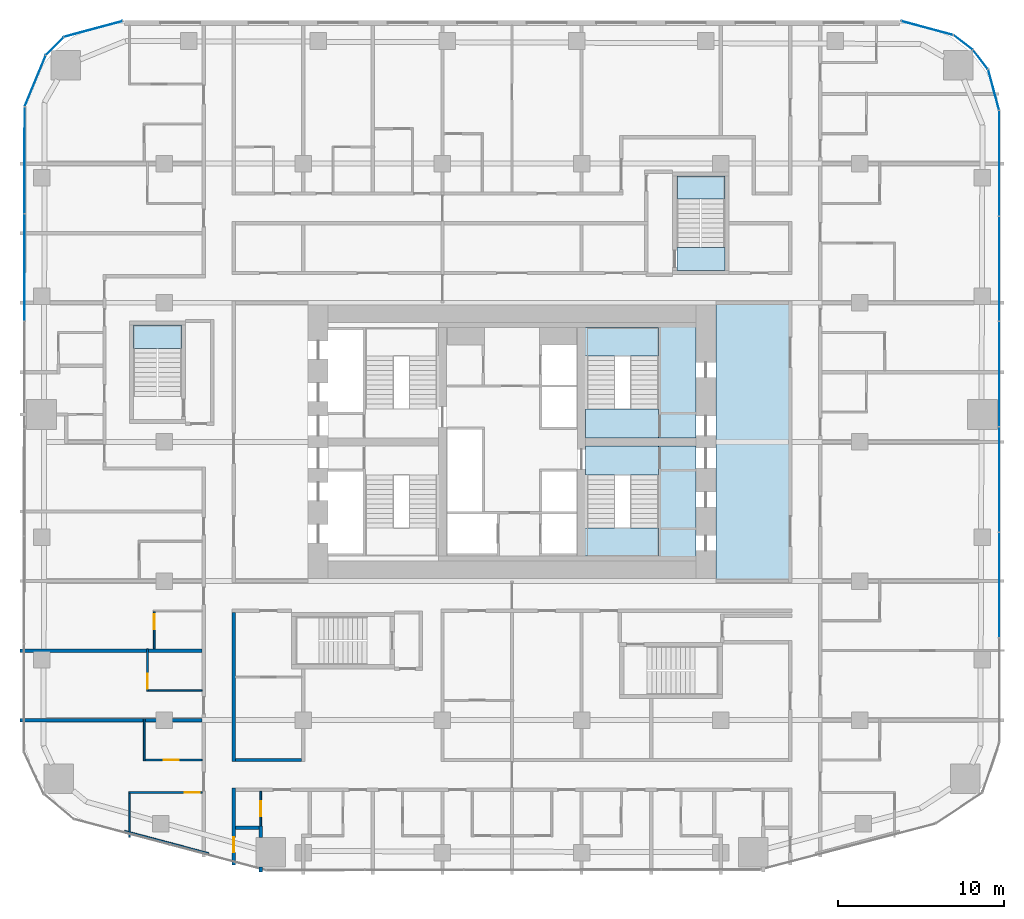
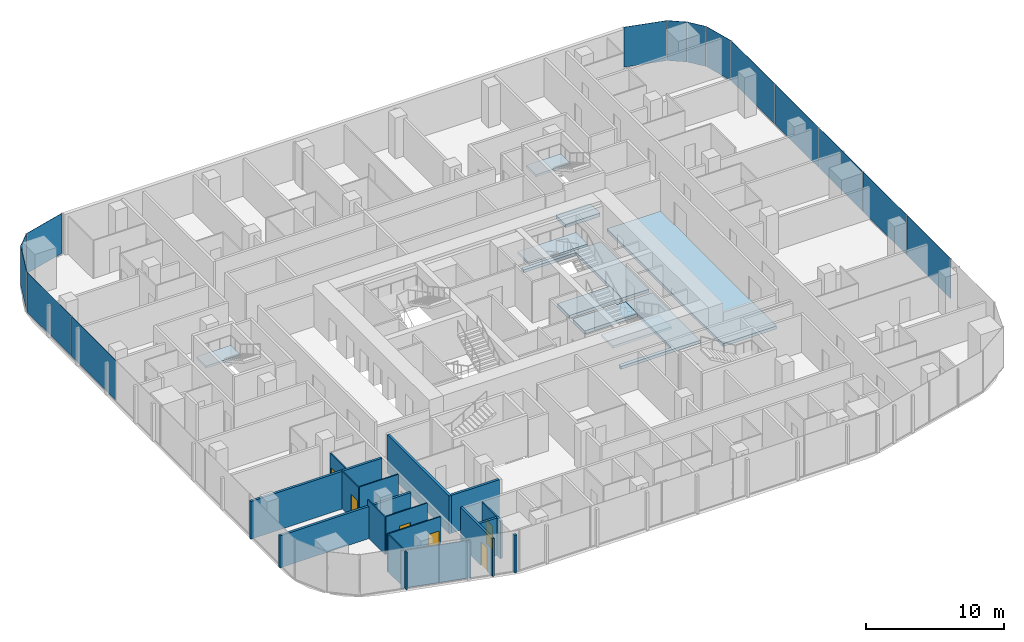
# One storey, part 15 of 26: 17 walls, 14 plates, 10 slabs, 6 doors, 6 openings, 13 elements without a shape of their own.
"""IFC4 building model written with IfcOpenShell, lengths in metres."""

from ifc_helpers import new_model, si_unit, direction, frame, frame_2d, origin, origin_2d, place, context, subcontext, project, spatial, polyline, rectangle, outline, extrude, material, layer, layer_set, type_object, element, fill, aggregate, save


model = new_model("IFC4")

# Units and contexts
model_context = context("Model", 3, precision=1e-05, world=origin(), true_north=direction((0.0, 1.0)))
body_context = subcontext(model_context, "Body", "Model", "MODEL_VIEW")
ifc_project = project(units=[si_unit("LENGTHUNIT", "METRE"), si_unit("AREAUNIT", "SQUARE_METRE"), si_unit("VOLUMEUNIT", "CUBIC_METRE"), si_unit("PLANEANGLEUNIT", "RADIAN"), si_unit("MASSUNIT", "GRAM", prefix="KILO")], contexts=[model_context])

# Site, building, storey
site_placement = place(None, origin())
site = spatial("IfcSite", under=ifc_project, at=site_placement, CompositionType="ELEMENT")
building_placement = place(site_placement, origin())
building = spatial("IfcBuilding", under=site, at=building_placement, Name="Marenta Gate Hotel Tower", CompositionType="ELEMENT")
storey_placement = place(building_placement, frame((0.0, 0.0, 43.699951171875)))
storey = spatial("IfcBuildingStorey", under=building, at=storey_placement, Name="L08", CompositionType="ELEMENT", Elevation=43.699951171875)

# Slabs
ifc_material_1 = material(Name="Concrete C40", Category="concrete")
ifc_layer_1 = layer(ifc_material_1, 0.260009765625)
ifc_layer_set_1 = layer_set([ifc_layer_1], Name="Concrete C40")
slab_type_1 = type_object("IfcSlabType", Name="Core floor slab 260", PredefinedType="FLOOR", material=ifc_layer_set_1)
slab_1_placement = place(storey_placement, frame((0.0, 0.0, -0.260009765625)))
element("IfcSlab", 1, at=slab_1_placement, inside=storey, type_object=slab_type_1, Name="L08-CF-1", PredefinedType="FLOOR", context=body_context, shape_type="SweptSolid", body=[
    extrude(outline(polyline([(12.300048828125, 0.0), (12.300048828125, 16.800048828125), (16.800048828125, 16.800048828125), (16.800048828125, 0.0), (12.300048828125, 0.0)])), origin(), (0.0, 0.0, 1.0), 0.260009765625),
])
slab_2_placement = place(storey_placement, frame((0.0, 0.0, -0.260009765625)))
element("IfcSlab", 2, at=slab_2_placement, inside=storey, type_object=slab_type_1, Name="L08-CF-2", PredefinedType="FLOOR", context=body_context, shape_type="SweptSolid", body=[
    extrude(outline(polyline([(8.85009765625, 1.5), (8.85009765625, 6.39990234375), (8.85009765625, 8.10009765625), (8.85009765625, 8.14990234375), (11.10009765625, 8.14990234375), (11.10009765625, 1.199951171875), (4.449951171875, 1.199951171875), (4.449951171875, 1.5), (8.85009765625, 1.5)])), origin(), (0.0, 0.0, 1.0), 0.260009765625),
])
slab_3_placement = place(storey_placement, frame((0.0, 0.0, -0.260009765625)))
element("IfcSlab", 3, at=slab_3_placement, inside=storey, type_object=slab_type_1, Name="L08-CF-3", PredefinedType="FLOOR", context=body_context, shape_type="SweptSolid", body=[
    extrude(outline(polyline([(8.85009765625, 15.300048828125), (4.449951171875, 15.300048828125), (4.449951171875, 15.60009765625), (11.10009765625, 15.60009765625), (11.10009765625, 8.64990234375), (8.85009765625, 8.64990234375), (8.85009765625, 8.699951171875), (8.85009765625, 10.39990234375), (8.85009765625, 15.300048828125)])), origin(), (0.0, 0.0, 1.0), 0.260009765625),
])

# Stair, slab
ifc_material_2 = material(Name="Concrete C40", Category="concrete")
stair_type_1 = type_object("IfcStairType", Name="Core exit stair 1700 wide", PredefinedType="HALF_TURN_STAIR", material=ifc_material_2)
stair_1_placement = place(storey_placement, origin())
stair_1 = element("IfcStair", 4, at=stair_1_placement, inside=storey, type_object=stair_type_1, Name="Exit stair 3", PredefinedType="HALF_TURN_STAIR")
ifc_material_3 = material(Name="Concrete C40", Category="concrete")
ifc_layer_2 = layer(ifc_material_3, 0.199951171875)
ifc_layer_set_2 = layer_set([ifc_layer_2], Name="Concrete C40")
slab_type_2 = type_object("IfcSlabType", Name="Core stair landing 200", PredefinedType="LANDING", material=ifc_layer_set_2)
slab_4_placement = place(storey_placement, frame((0.0, 0.0, 1.60009765625)))
slab_4 = element("IfcSlab", 5, at=slab_4_placement, type_object=slab_type_2, Name="SL-200 ST3 landing 1", PredefinedType="LANDING", context=body_context, shape_type="SweptSolid", body=[
    extrude(outline(polyline([(3.949951171875, 1.5), (8.85009765625, 1.5), (8.85009765625, 3.2099609375), (3.949951171875, 3.2099609375), (3.949951171875, 1.5)])), origin(), (0.0, 0.0, 1.0), 0.199951171875),
])
aggregate(stair_1, [slab_4])

stair_2_placement = place(storey_placement, origin())
stair_2 = element("IfcStair", 6, at=stair_2_placement, inside=storey, type_object=stair_type_1, Name="Exit stair 4", PredefinedType="HALF_TURN_STAIR")
slab_5_placement = place(storey_placement, frame((0.0, 0.0, 1.60009765625)))
slab_5 = element("IfcSlab", 7, at=slab_5_placement, type_object=slab_type_2, Name="SL-200 ST4 landing 1", PredefinedType="LANDING", context=body_context, shape_type="SweptSolid", body=[
    extrude(outline(polyline([(3.949951171875, 13.590087890625), (8.85009765625, 13.590087890625), (8.85009765625, 15.300048828125), (3.949951171875, 15.300048828125), (3.949951171875, 13.590087890625)])), origin(), (0.0, 0.0, 1.0), 0.199951171875),
])
aggregate(stair_2, [slab_5])

# Curtain wall, plate
ifc_material_4 = material(Name="Tinted insulated glass in bronze anodised frame", Category="glass")
ifc_layer_3 = layer(ifc_material_4, 0.1201171875)
ifc_layer_set_3 = layer_set([ifc_layer_3], Name="Tinted insulated glass in bronze anodised frame")
curtain_wall_type = type_object("IfcCurtainWallType", Name="Tower unitised curtain wall CW1", PredefinedType="NOTDEFINED", material=ifc_layer_set_3)
curtain_wall_1_placement = place(storey_placement, origin())
curtain_wall_1 = element("IfcCurtainWall", 8, at=curtain_wall_1_placement, inside=storey, type_object=curtain_wall_type, Name="CW1 run G00", PredefinedType="NOTDEFINED")
ifc_material_5 = material(Name="Tinted insulated glass", Category="glass")
ifc_layer_4 = layer(ifc_material_5, 0.028076171875)
ifc_layer_set_4 = layer_set([ifc_layer_4], Name="Tinted insulated glass")
plate_type = type_object("IfcPlateType", Name="Glass panel CW1 28 mm tinted insulated unit", PredefinedType="CURTAIN_PANEL", material=ifc_layer_set_4)
plate_1_placement = place(storey_placement, frame((-25.277099609375, 33.3232421875, 0.06005859375), z_axis=(0.0, 0.0, 1.0), x_axis=(-0.965930485164, -0.258801657317, 0.0)))
plate_1 = element("IfcPlate", 9, at=plate_1_placement, type_object=plate_type, Name="CW1 panel 1.1", PredefinedType="CURTAIN_PANEL", context=body_context, shape_type="SweptSolid", body=[
    extrude(rectangle(XDim=3.64990234375, YDim=0.028076171875, at=origin_2d()), origin(), (0.0, 0.0, 1.0), 3.5400390625),
])
aggregate(curtain_wall_1, [plate_1])

curtain_wall_2_placement = place(storey_placement, origin())
curtain_wall_2 = element("IfcCurtainWall", 10, at=curtain_wall_2_placement, inside=storey, type_object=curtain_wall_type, Name="CW1 run G01", PredefinedType="NOTDEFINED")
plate_2_placement = place(storey_placement, frame((-27.606689453125, 32.2841796875, 0.06005859375), z_axis=(0.0, 0.0, 1.0), x_axis=(-0.707106781187, -0.707106781187, 0.0)))
plate_2 = element("IfcPlate", 11, at=plate_2_placement, type_object=plate_type, Name="CW1 panel 1.1", PredefinedType="CURTAIN_PANEL", context=body_context, shape_type="SweptSolid", body=[
    extrude(rectangle(XDim=1.48291015625, YDim=0.028076171875, at=origin_2d()), origin(), (0.0, 0.0, 1.0), 3.5400390625),
])
aggregate(curtain_wall_2, [plate_2])

curtain_wall_3_placement = place(storey_placement, origin())
curtain_wall_3 = element("IfcCurtainWall", 12, at=curtain_wall_3_placement, inside=storey, type_object=curtain_wall_type, Name="CW1 run G02", PredefinedType="NOTDEFINED")
plate_3_placement = place(storey_placement, frame((-28.783203125, 30.185302734375, 0.06005859375), z_axis=(0.0, 0.0, 1.0), x_axis=(-0.382670050581, -0.923885075314, 0.0)))
plate_3 = element("IfcPlate", 13, at=plate_3_placement, type_object=plate_type, Name="CW1 panel 1.1", PredefinedType="CURTAIN_PANEL", context=body_context, shape_type="SweptSolid", body=[
    extrude(rectangle(XDim=3.28857421875, YDim=0.028076171875, at=origin_2d()), origin(), (0.0, 0.0, 1.0), 3.5400390625),
])
aggregate(curtain_wall_3, [plate_3])

# Curtain wall, plates
curtain_wall_4_placement = place(storey_placement, origin())
curtain_wall_4 = element("IfcCurtainWall", 14, at=curtain_wall_4_placement, inside=storey, type_object=curtain_wall_type, Name="CW1 run G03", PredefinedType="NOTDEFINED")
plate_4_placement = place(storey_placement, frame((-29.41748046875, 25.406005859375, 0.06005859375), z_axis=(0.0, 0.0, 1.0), x_axis=(-0.00156642217, -0.99999877316, 0.0)))
plate_4 = element("IfcPlate", 15, at=plate_4_placement, type_object=plate_type, Name="CW1 panel 1.1", PredefinedType="CURTAIN_PANEL", context=body_context, shape_type="SweptSolid", body=[
    extrude(rectangle(XDim=6.400390625, YDim=0.028076171875, at=origin_2d()), origin(), (0.0, 0.0, 1.0), 3.5400390625),
])
plate_5_placement = place(storey_placement, frame((-29.427490234375, 18.9306640625, 0.06005859375), z_axis=(0.0, 0.0, 1.0), x_axis=(-0.00156642217, -0.99999877316, 0.0)))
plate_5 = element("IfcPlate", 16, at=plate_5_placement, type_object=plate_type, Name="CW1 panel 2.1", PredefinedType="CURTAIN_PANEL", context=body_context, shape_type="SweptSolid", body=[
    extrude(rectangle(XDim=6.430419921875, YDim=0.028076171875, at=origin_2d()), origin(), (0.0, 0.0, 1.0), 3.5400390625),
])
aggregate(curtain_wall_4, [plate_4, plate_5])

curtain_wall_5_placement = place(storey_placement, origin())
curtain_wall_5 = element("IfcCurtainWall", 17, at=curtain_wall_5_placement, inside=storey, type_object=curtain_wall_type, Name="CW1 run G11", PredefinedType="NOTDEFINED")
plate_6_placement = place(storey_placement, frame((29.4140625, -0.22802734375, 0.06005859375), z_axis=(0.0, 0.0, 1.0), x_axis=(0.0, 1.0, 0.0)))
plate_6 = element("IfcPlate", 18, at=plate_6_placement, type_object=plate_type, Name="CW1 panel 2.1", PredefinedType="CURTAIN_PANEL", context=body_context, shape_type="SweptSolid", body=[
    extrude(rectangle(XDim=6.300048828125, YDim=0.028076171875, at=origin_2d()), origin(), (0.0, 0.0, 1.0), 3.5400390625),
])
plate_7_placement = place(storey_placement, frame((29.4140625, 6.132080078125, 0.06005859375), z_axis=(0.0, 0.0, 1.0), x_axis=(0.0, 1.0, 0.0)))
plate_7 = element("IfcPlate", 19, at=plate_7_placement, type_object=plate_type, Name="CW1 panel 3.1", PredefinedType="CURTAIN_PANEL", context=body_context, shape_type="SweptSolid", body=[
    extrude(rectangle(XDim=6.300048828125, YDim=0.028076171875, at=origin_2d()), origin(), (0.0, 0.0, 1.0), 3.5400390625),
])
plate_8_placement = place(storey_placement, frame((29.4140625, 12.491943359375, 0.06005859375), z_axis=(0.0, 0.0, 1.0), x_axis=(0.0, 1.0, 0.0)))
plate_8 = element("IfcPlate", 20, at=plate_8_placement, type_object=plate_type, Name="CW1 panel 4.1", PredefinedType="CURTAIN_PANEL", context=body_context, shape_type="SweptSolid", body=[
    extrude(rectangle(XDim=6.300048828125, YDim=0.028076171875, at=origin_2d()), origin(), (0.0, 0.0, 1.0), 3.5400390625),
])
plate_9_placement = place(storey_placement, frame((29.4140625, 18.851806640625, 0.06005859375), z_axis=(0.0, 0.0, 1.0), x_axis=(0.0, 1.0, 0.0)))
plate_9 = element("IfcPlate", 21, at=plate_9_placement, type_object=plate_type, Name="CW1 panel 5.1", PredefinedType="CURTAIN_PANEL", context=body_context, shape_type="SweptSolid", body=[
    extrude(rectangle(XDim=6.300048828125, YDim=0.028076171875, at=origin_2d()), origin(), (0.0, 0.0, 1.0), 3.5400390625),
])
plate_10_placement = place(storey_placement, frame((29.4140625, 25.226806640625, 0.06005859375), z_axis=(0.0, 0.0, 1.0), x_axis=(0.0, 1.0, 0.0)))
plate_10 = element("IfcPlate", 22, at=plate_10_placement, type_object=plate_type, Name="CW1 panel 6.1", PredefinedType="CURTAIN_PANEL", context=body_context, shape_type="SweptSolid", body=[
    extrude(rectangle(XDim=6.330078125, YDim=0.028076171875, at=origin_2d()), origin(), (0.0, 0.0, 1.0), 3.5400390625),
])
aggregate(curtain_wall_5, [plate_6, plate_7, plate_8, plate_9, plate_10])

# Curtain wall, plate
curtain_wall_6_placement = place(storey_placement, origin())
curtain_wall_6 = element("IfcCurtainWall", 23, at=curtain_wall_6_placement, inside=storey, type_object=curtain_wall_type, Name="CW1 run G12", PredefinedType="NOTDEFINED")
plate_11_placement = place(storey_placement, frame((29.074951171875, 29.657470703125, 0.06005859375), z_axis=(0.0, 0.0, 1.0), x_axis=(-0.258821981125, 0.965925039579, 0.0)))
plate_11 = element("IfcPlate", 24, at=plate_11_placement, type_object=plate_type, Name="CW1 panel 1.1", PredefinedType="CURTAIN_PANEL", context=body_context, shape_type="SweptSolid", body=[
    extrude(rectangle(XDim=2.50048828125, YDim=0.028076171875, at=origin_2d()), origin(), (0.0, 0.0, 1.0), 3.5400390625),
])
aggregate(curtain_wall_6, [plate_11])

curtain_wall_7_placement = place(storey_placement, origin())
curtain_wall_7 = element("IfcCurtainWall", 25, at=curtain_wall_7_placement, inside=storey, type_object=curtain_wall_type, Name="CW1 run G13", PredefinedType="NOTDEFINED")
plate_12_placement = place(storey_placement, frame((28.280029296875, 31.47900390625, 0.06005859375), z_axis=(0.0, 0.0, 1.0), x_axis=(-0.608781405318, 0.79333801153, 0.0)))
plate_12 = element("IfcPlate", 26, at=plate_12_placement, type_object=plate_type, Name="CW1 panel 1.1", PredefinedType="CURTAIN_PANEL", context=body_context, shape_type="SweptSolid", body=[
    extrude(rectangle(XDim=1.427978515625, YDim=0.028076171875, at=origin_2d()), origin(), (0.0, 0.0, 1.0), 3.5400390625),
])
aggregate(curtain_wall_7, [plate_12])

curtain_wall_8_placement = place(storey_placement, origin())
curtain_wall_8 = element("IfcCurtainWall", 27, at=curtain_wall_8_placement, inside=storey, type_object=curtain_wall_type, Name="CW1 run G14", PredefinedType="NOTDEFINED")
plate_13_placement = place(storey_placement, frame((27.2314453125, 32.5166015625, 0.06005859375), z_axis=(0.0, 0.0, 1.0), x_axis=(-0.79333801153, 0.608781405318, 0.0)))
plate_13 = element("IfcPlate", 28, at=plate_13_placement, type_object=plate_type, Name="CW1 panel 1.1", PredefinedType="CURTAIN_PANEL", context=body_context, shape_type="SweptSolid", body=[
    extrude(rectangle(XDim=1.427978515625, YDim=0.028076171875, at=origin_2d()), origin(), (0.0, 0.0, 1.0), 3.5400390625),
])
aggregate(curtain_wall_8, [plate_13])

curtain_wall_9_placement = place(storey_placement, origin())
curtain_wall_9 = element("IfcCurtainWall", 29, at=curtain_wall_9_placement, inside=storey, type_object=curtain_wall_type, Name="CW1 run G15", PredefinedType="NOTDEFINED")
plate_14_placement = place(storey_placement, frame((25.060791015625, 33.381103515625, 0.06005859375), z_axis=(0.0, 0.0, 1.0), x_axis=(-0.965928970532, 0.258807310344, 0.0)))
plate_14 = element("IfcPlate", 30, at=plate_14_placement, type_object=plate_type, Name="CW1 panel 1.1", PredefinedType="CURTAIN_PANEL", context=body_context, shape_type="SweptSolid", body=[
    extrude(rectangle(XDim=3.20166015625, YDim=0.028076171875, at=origin_2d()), origin(), (0.0, 0.0, 1.0), 3.5400390625),
])
aggregate(curtain_wall_9, [plate_14])

# Stair, slab
ifc_material_6 = material(Name="Concrete C40", Category="concrete")
stair_type_2 = type_object("IfcStairType", Name="Remote exit stair 1400 wide", PredefinedType="HALF_TURN_STAIR", material=ifc_material_6)
stair_3_placement = place(storey_placement, origin())
stair_3 = element("IfcStair", 31, at=stair_3_placement, inside=storey, type_object=stair_type_2, Name="Exit stair RS-Z1-3", PredefinedType="HALF_TURN_STAIR")
ifc_material_7 = material(Name="Concrete C40", Category="concrete")
ifc_layer_5 = layer(ifc_material_7, 0.199951171875)
ifc_layer_set_5 = layer_set([ifc_layer_5], Name="Concrete C40")
slab_type_3 = type_object("IfcSlabType", Name="Remote stair landing 200", PredefinedType="LANDING", material=ifc_layer_set_5)
slab_6_placement = place(storey_placement, frame((0.0, 0.0, 1.60009765625)))
slab_6 = element("IfcSlab", 32, at=slab_6_placement, type_object=slab_type_3, Name="RL-200 RS-Z1-3 landing 1", PredefinedType="LANDING", context=body_context, shape_type="SweptSolid", body=[
    extrude(outline(polyline([(-22.85009765625, 14.050048828125), (-19.949951171875, 14.050048828125), (-19.949951171875, 15.449951171875), (-22.85009765625, 15.449951171875), (-22.85009765625, 14.050048828125)])), origin(), (0.0, 0.0, 1.0), 0.199951171875),
])
aggregate(stair_3, [slab_6])

stair_4_placement = place(storey_placement, origin())
stair_4 = element("IfcStair", 33, at=stair_4_placement, inside=storey, type_object=stair_type_2, Name="Exit stair RS-Z1-4", PredefinedType="HALF_TURN_STAIR")
slab_7_placement = place(storey_placement, frame((0.0, 0.0, 1.60009765625)))
slab_7 = element("IfcSlab", 34, at=slab_7_placement, type_object=slab_type_3, Name="RL-200 RS-Z1-4 landing 1", PredefinedType="LANDING", context=body_context, shape_type="SweptSolid", body=[
    extrude(outline(polyline([(9.949951171875, 23.050048828125), (12.85009765625, 23.050048828125), (12.85009765625, 24.449951171875), (9.949951171875, 24.449951171875), (9.949951171875, 23.050048828125)])), origin(), (0.0, 0.0, 1.0), 0.199951171875),
])
aggregate(stair_4, [slab_7])

# Slabs
ifc_material_8 = material(Name="Concrete C40", Category="concrete")
ifc_layer_6 = layer(ifc_material_8, 0.300048828125)
ifc_layer_set_6 = layer_set([ifc_layer_6], Name="Concrete C40")
slab_type_4 = type_object("IfcSlabType", Name="Stair floor landing slab 300", PredefinedType="FLOOR", material=ifc_layer_set_6)
slab_8_placement = place(storey_placement, frame((0.0, 0.0, -0.300048828125)))
element("IfcSlab", 35, at=slab_8_placement, inside=storey, type_object=slab_type_4, Name="L08-CL-ST3-1", PredefinedType="FLOOR", context=body_context, shape_type="SweptSolid", body=[
    extrude(outline(polyline([(4.449951171875, 6.39990234375), (4.449951171875, 8.14990234375), (8.85009765625, 8.14990234375), (8.85009765625, 8.10009765625), (8.85009765625, 6.39990234375), (4.449951171875, 6.39990234375)])), origin(), (0.0, 0.0, 1.0), 0.300048828125),
])
slab_9_placement = place(storey_placement, frame((0.0, 0.0, -0.300048828125)))
element("IfcSlab", 36, at=slab_9_placement, inside=storey, type_object=slab_type_4, Name="L08-CL-ST4-1", PredefinedType="FLOOR", context=body_context, shape_type="SweptSolid", body=[
    extrude(outline(polyline([(4.449951171875, 8.64990234375), (4.449951171875, 10.39990234375), (8.85009765625, 10.39990234375), (8.85009765625, 8.699951171875), (8.85009765625, 8.64990234375), (4.449951171875, 8.64990234375)])), origin(), (0.0, 0.0, 1.0), 0.300048828125),
])
slab_10_placement = place(storey_placement, frame((0.0, 0.0, -0.300048828125)))
element("IfcSlab", 37, at=slab_10_placement, inside=storey, type_object=slab_type_4, Name="L08-RS-Z1-4-CL", PredefinedType="FLOOR", context=body_context, shape_type="SweptSolid", body=[
    extrude(outline(polyline([(12.85009765625, 18.75), (12.85009765625, 20.14990234375), (9.949951171875, 20.14990234375), (9.949951171875, 18.75), (12.85009765625, 18.75)])), origin(), (0.0, 0.0, 1.0), 0.300048828125),
])

# Wall, opening, door
ifc_material_9 = material(Name="Concrete blockwork", Category="masonry")
ifc_layer_7 = layer(ifc_material_9, 0.199951171875)
ifc_layer_set_7 = layer_set([ifc_layer_7], Name="Concrete blockwork")
wall_type_1 = type_object("IfcWallType", Name="Room corridor wall 200 EI 120", PredefinedType="PARTITIONING", material=ifc_layer_set_7)
wall_1_placement = place(storey_placement, frame((-16.800048828125, -17.14306640625, 0.0), z_axis=(0.0, 0.0, 1.0), x_axis=(0.0, 1.0, 0.0)))
wall_1 = element("IfcWall", 38, at=wall_1_placement, inside=storey, type_object=wall_type_1, Name="L08-PTN-W110", PredefinedType="PARTITIONING", context=body_context, shape_type="SweptSolid", body=[
    extrude(rectangle(XDim=4.64306640625, YDim=0.199951171875, at=frame_2d((2.321533203125, 0.0))), origin(), (0.0, 0.0, 1.0), 3.340087890625),
])
opening_1_placement = place(wall_1_placement, frame((0.77197265625, 0.0, 0.0)))
opening_1 = element("IfcOpeningElement", 39, at=opening_1_placement, cuts=wall_1, Name="Opening G02-78", PredefinedType="OPENING", context=body_context, shape_type="SweptSolid", body=[
    extrude(rectangle(XDim=0.89990234375, YDim=2.10009765625, at=frame_2d((0.449951171875, 1.050048828125))), frame((0.0, 0.10009765625, 0.0), z_axis=(0.0, -1.0, 0.0), x_axis=(1.0, 0.0, 0.0)), (0.0, 0.0, 1.0), 0.199951171875),
])
ifc_material_10 = material(Name="Hollow steel door set", Category="steel")
door_type_1 = type_object("IfcDoorType", Name="Room service door 900x2100 EI 60", OperationType="NOTDEFINED", PredefinedType="DOOR", material=ifc_material_10)
door_1_placement = place(opening_1_placement, origin())
door_1 = element("IfcDoor", 40, at=door_1_placement, inside=storey, type_object=door_type_1, Name="L08-PD-D078", OperationType="SINGLE_SWING_LEFT", OverallHeight=2.10009765625, OverallWidth=0.89990234375, PredefinedType="DOOR", context=body_context, shape_type="SweptSolid", body=[
    extrude(rectangle(XDim=0.89990234375, YDim=2.10009765625, at=frame_2d((0.449951171875, 1.050048828125))), frame((0.0, 0.02490234375, 0.0), z_axis=(0.0, -1.0, 0.0), x_axis=(1.0, 0.0, 0.0)), (0.0, 0.0, 1.0), 0.050048828125),
])
fill(opening_1, door_1)

# Walls
ifc_material_11 = material(Name="Gypsum board on steel stud", Category="steel")
ifc_layer_8 = layer(ifc_material_11, 0.199951171875)
ifc_layer_set_8 = layer_set([ifc_layer_8], Name="Gypsum board on steel stud")
wall_type_2 = type_object("IfcWallType", Name="Room corridor wall 200 EI 60", PredefinedType="PARTITIONING", material=ifc_layer_set_8)
wall_2_placement = place(storey_placement, frame((-16.699951171875, -10.800048828125, 0.0), z_axis=(0.0, 0.0, 1.0), x_axis=(1.0, 0.0, 0.0)))
element("IfcWall", 41, at=wall_2_placement, inside=storey, type_object=wall_type_2, Name="L08-PTN-W038", PredefinedType="PARTITIONING", context=body_context, shape_type="SweptSolid", body=[
    extrude(rectangle(XDim=4.0, YDim=0.199951171875, at=frame_2d((2.0, 0.0))), origin(), (0.0, 0.0, 1.0), 3.340087890625),
])
wall_3_placement = place(storey_placement, frame((-16.800048828125, -10.89990234375, 0.0), z_axis=(0.0, 0.0, 1.0), x_axis=(0.0, 1.0, 0.0)))
element("IfcWall", 42, at=wall_3_placement, inside=storey, type_object=wall_type_2, Name="L08-PTN-W111", PredefinedType="PARTITIONING", context=body_context, shape_type="SweptSolid", body=[
    extrude(rectangle(XDim=9.0, YDim=0.199951171875, at=frame_2d((4.5, 0.0))), origin(), (0.0, 0.0, 1.0), 3.340087890625),
])
ifc_material_12 = material(Name="Gypsum board on steel stud", Category="steel")
ifc_layer_9 = layer(ifc_material_12, 0.10009765625)
ifc_layer_set_9 = layer_set([ifc_layer_9], Name="Gypsum board on steel stud")
wall_type_3 = type_object("IfcWallType", Name="Room partition 100", PredefinedType="PARTITIONING", material=ifc_layer_set_9)
wall_4_placement = place(storey_placement, frame((-23.389892578125, -15.093994140625, 0.0), z_axis=(0.0, 0.0, 1.0), x_axis=(0.966552628131, -0.256468354876, 0.0)))
element("IfcWall", 43, at=wall_4_placement, inside=storey, type_object=wall_type_3, Name="L08-PTN-W010", PredefinedType="PARTITIONING", context=body_context, shape_type="SweptSolid", body=[
    extrude(rectangle(XDim=5.255615234375, YDim=0.10009765625, at=frame_2d((2.6279296875, 0.0))), origin(), (0.0, 0.0, 1.0), 3.340087890625),
])

# Wall, opening, door
wall_5_placement = place(storey_placement, frame((-23.14990234375, -12.764892578125, 0.0), z_axis=(0.0, 0.0, 1.0), x_axis=(1.0, 0.0, 0.0)))
wall_5 = element("IfcWall", 44, at=wall_5_placement, inside=storey, type_object=wall_type_3, Name="L08-PTN-W029", PredefinedType="PARTITIONING", context=body_context, shape_type="SweptSolid", body=[
    extrude(rectangle(XDim=4.449951171875, YDim=0.10009765625, at=frame_2d((2.22509765625, 0.0))), origin(), (0.0, 0.0, 1.0), 3.340087890625),
])
opening_2_placement = place(wall_5_placement, frame((3.39990234375, 0.0, 0.0)))
opening_2 = element("IfcOpeningElement", 45, at=opening_2_placement, cuts=wall_5, Name="Opening G02-53", PredefinedType="OPENING", context=body_context, shape_type="SweptSolid", body=[
    extrude(rectangle(XDim=0.89990234375, YDim=2.10009765625, at=frame_2d((0.449951171875, 1.050048828125))), frame((0.0, 0.050048828125, 0.0), z_axis=(0.0, -1.0, 0.0), x_axis=(1.0, 0.0, 0.0)), (0.0, 0.0, 1.0), 0.10009765625),
])
ifc_material_13 = material(Name="Timber door leaf", Category="wood")
door_type_2 = type_object("IfcDoorType", Name="Guest bathroom door 900x2100", OperationType="NOTDEFINED", PredefinedType="DOOR", material=ifc_material_13)
door_2_placement = place(opening_2_placement, origin())
door_2 = element("IfcDoor", 46, at=door_2_placement, inside=storey, type_object=door_type_2, Name="L08-PD-D053", OperationType="SINGLE_SWING_LEFT", OverallHeight=2.10009765625, OverallWidth=0.89990234375, PredefinedType="DOOR", context=body_context, shape_type="SweptSolid", body=[
    extrude(rectangle(XDim=0.89990234375, YDim=2.10009765625, at=frame_2d((0.449951171875, 1.050048828125))), frame((0.0, 0.02490234375, 0.0), z_axis=(0.0, -1.0, 0.0), x_axis=(1.0, 0.0, 0.0)), (0.0, 0.0, 1.0), 0.050048828125),
])
fill(opening_2, door_2)

wall_6_placement = place(storey_placement, frame((-22.14990234375, -10.800048828125, 0.0), z_axis=(0.0, 0.0, 1.0), x_axis=(1.0, 0.0, 0.0)))
wall_6 = element("IfcWall", 47, at=wall_6_placement, inside=storey, type_object=wall_type_3, Name="L08-PTN-W036", PredefinedType="PARTITIONING", context=body_context, shape_type="SweptSolid", body=[
    extrude(rectangle(XDim=3.449951171875, YDim=0.10009765625, at=frame_2d((1.72509765625, 0.0))), origin(), (0.0, 0.0, 1.0), 3.340087890625),
])
opening_3_placement = place(wall_6_placement, frame((1.1201171875, 0.0, 0.0)))
opening_3 = element("IfcOpeningElement", 48, at=opening_3_placement, cuts=wall_6, Name="Opening G02-54", PredefinedType="OPENING", context=body_context, shape_type="SweptSolid", body=[
    extrude(rectangle(XDim=0.89990234375, YDim=2.10009765625, at=frame_2d((0.449951171875, 1.050048828125))), frame((0.0, 0.050048828125, 0.0), z_axis=(0.0, -1.0, 0.0), x_axis=(1.0, 0.0, 0.0)), (0.0, 0.0, 1.0), 0.10009765625),
])
ifc_material_14 = material(Name="Timber door leaf", Category="wood")
door_type_3 = type_object("IfcDoorType", Name="Room inner door 900x2100", OperationType="NOTDEFINED", PredefinedType="DOOR", material=ifc_material_14)
door_3_placement = place(opening_3_placement, origin())
door_3 = element("IfcDoor", 49, at=door_3_placement, inside=storey, type_object=door_type_3, Name="L08-PD-D054", OperationType="SINGLE_SWING_LEFT", OverallHeight=2.10009765625, OverallWidth=0.89990234375, PredefinedType="DOOR", context=body_context, shape_type="SweptSolid", body=[
    extrude(rectangle(XDim=0.89990234375, YDim=2.10009765625, at=frame_2d((0.449951171875, 1.050048828125))), frame((0.0, 0.02490234375, 0.0), z_axis=(0.0, -1.0, 0.0), x_axis=(1.0, 0.0, 0.0)), (0.0, 0.0, 1.0), 0.050048828125),
])
fill(opening_3, door_3)

# Wall
wall_7_placement = place(storey_placement, frame((-21.949951171875, -6.60009765625, 0.0), z_axis=(0.0, 0.0, 1.0), x_axis=(1.0, 0.0, 0.0)))
element("IfcWall", 50, at=wall_7_placement, inside=storey, type_object=wall_type_3, Name="L08-PTN-W050", PredefinedType="PARTITIONING", context=body_context, shape_type="SweptSolid", body=[
    extrude(rectangle(XDim=3.25, YDim=0.10009765625, at=frame_2d((1.625, 0.0))), origin(), (0.0, 0.0, 1.0), 3.340087890625),
])

# Wall, opening, door
wall_8_placement = place(storey_placement, frame((-15.166015625, -15.0, 0.0), z_axis=(0.0, 0.0, 1.0), x_axis=(0.0, 1.0, 0.0)))
wall_8 = element("IfcWall", 51, at=wall_8_placement, inside=storey, type_object=wall_type_3, Name="L08-PTN-W108", PredefinedType="PARTITIONING", context=body_context, shape_type="SweptSolid", body=[
    extrude(rectangle(XDim=2.300048828125, YDim=0.10009765625, at=frame_2d((1.14990234375, 0.0))), origin(), (0.0, 0.0, 1.0), 3.340087890625),
])
opening_4_placement = place(wall_8_placement, frame((0.800048828125, 0.0, 0.0)))
opening_4 = element("IfcOpeningElement", 52, at=opening_4_placement, cuts=wall_8, Name="Opening G02-77", PredefinedType="OPENING", context=body_context, shape_type="SweptSolid", body=[
    extrude(rectangle(XDim=0.89990234375, YDim=2.10009765625, at=frame_2d((0.449951171875, 1.050048828125))), frame((0.0, 0.050048828125, 0.0), z_axis=(0.0, -1.0, 0.0), x_axis=(1.0, 0.0, 0.0)), (0.0, 0.0, 1.0), 0.10009765625),
])
door_4_placement = place(opening_4_placement, origin())
door_4 = element("IfcDoor", 53, at=door_4_placement, inside=storey, type_object=door_type_2, Name="L08-PD-D077", OperationType="SINGLE_SWING_RIGHT", OverallHeight=2.10009765625, OverallWidth=0.89990234375, PredefinedType="DOOR", context=body_context, shape_type="SweptSolid", body=[
    extrude(rectangle(XDim=0.89990234375, YDim=2.10009765625, at=frame_2d((0.449951171875, 1.050048828125))), frame((0.0, 0.02490234375, 0.0), z_axis=(0.0, -1.0, 0.0), x_axis=(1.0, 0.0, 0.0)), (0.0, 0.0, 1.0), 0.050048828125),
])
fill(opening_4, door_4)

wall_9_placement = place(storey_placement, frame((-21.60009765625, -4.10009765625, 0.0), z_axis=(0.0, 0.0, 1.0), x_axis=(0.0, 1.0, 0.0)))
wall_9 = element("IfcWall", 54, at=wall_9_placement, inside=storey, type_object=wall_type_3, Name="L08-PTN-W125", PredefinedType="PARTITIONING", context=body_context, shape_type="SweptSolid", body=[
    extrude(rectangle(XDim=2.25, YDim=0.10009765625, at=frame_2d((1.125, 0.0))), origin(), (0.0, 0.0, 1.0), 3.340087890625),
])
opening_5_placement = place(wall_9_placement, frame((1.199951171875, 0.0, 0.0)))
opening_5 = element("IfcOpeningElement", 55, at=opening_5_placement, cuts=wall_9, Name="Opening G02-58", PredefinedType="OPENING", context=body_context, shape_type="SweptSolid", body=[
    extrude(rectangle(XDim=0.89990234375, YDim=2.10009765625, at=frame_2d((0.449951171875, 1.050048828125))), frame((0.0, 0.050048828125, 0.0), z_axis=(0.0, -1.0, 0.0), x_axis=(1.0, 0.0, 0.0)), (0.0, 0.0, 1.0), 0.10009765625),
])
door_5_placement = place(opening_5_placement, origin())
door_5 = element("IfcDoor", 56, at=door_5_placement, inside=storey, type_object=door_type_2, Name="L08-PD-D058", OperationType="SINGLE_SWING_LEFT", OverallHeight=2.10009765625, OverallWidth=0.89990234375, PredefinedType="DOOR", context=body_context, shape_type="SweptSolid", body=[
    extrude(rectangle(XDim=0.89990234375, YDim=2.10009765625, at=frame_2d((0.449951171875, 1.050048828125))), frame((0.0, 0.02490234375, 0.0), z_axis=(0.0, -1.0, 0.0), x_axis=(1.0, 0.0, 0.0)), (0.0, 0.0, 1.0), 0.050048828125),
])
fill(opening_5, door_5)

wall_10_placement = place(storey_placement, frame((-22.0, -6.64990234375, 0.0), z_axis=(0.0, 0.0, 1.0), x_axis=(0.0, 1.0, 0.0)))
wall_10 = element("IfcWall", 57, at=wall_10_placement, inside=storey, type_object=wall_type_3, Name="L08-PTN-W128", PredefinedType="PARTITIONING", context=body_context, shape_type="SweptSolid", body=[
    extrude(rectangle(XDim=2.5498046875, YDim=0.10009765625, at=frame_2d((1.27490234375, 0.0))), origin(), (0.0, 0.0, 1.0), 3.340087890625),
])
opening_6_placement = place(wall_10_placement, frame((0.14990234375, 0.0, 0.0)))
opening_6 = element("IfcOpeningElement", 58, at=opening_6_placement, cuts=wall_10, Name="Opening G02-56", PredefinedType="OPENING", context=body_context, shape_type="SweptSolid", body=[
    extrude(rectangle(XDim=0.89990234375, YDim=2.10009765625, at=frame_2d((0.449951171875, 1.050048828125))), frame((0.0, 0.050048828125, 0.0), z_axis=(0.0, -1.0, 0.0), x_axis=(1.0, 0.0, 0.0)), (0.0, 0.0, 1.0), 0.10009765625),
])
door_6_placement = place(opening_6_placement, origin())
door_6 = element("IfcDoor", 59, at=door_6_placement, inside=storey, type_object=door_type_2, Name="L08-PD-D056", OperationType="SINGLE_SWING_RIGHT", OverallHeight=2.10009765625, OverallWidth=0.89990234375, PredefinedType="DOOR", context=body_context, shape_type="SweptSolid", body=[
    extrude(rectangle(XDim=0.89990234375, YDim=2.10009765625, at=frame_2d((0.449951171875, 1.050048828125))), frame((0.0, 0.02490234375, 0.0), z_axis=(0.0, -1.0, 0.0), x_axis=(1.0, 0.0, 0.0)), (0.0, 0.0, 1.0), 0.050048828125),
])
fill(opening_6, door_6)

# Walls
wall_11_placement = place(storey_placement, frame((-22.199951171875, -10.85009765625, 0.0), z_axis=(0.0, 0.0, 1.0), x_axis=(0.0, 1.0, 0.0)))
element("IfcWall", 60, at=wall_11_placement, inside=storey, type_object=wall_type_3, Name="L08-PTN-W130", PredefinedType="PARTITIONING", context=body_context, shape_type="SweptSolid", body=[
    extrude(rectangle(XDim=2.550048828125, YDim=0.10009765625, at=frame_2d((1.27490234375, 0.0))), origin(), (0.0, 0.0, 1.0), 3.340087890625),
])
wall_12_placement = place(storey_placement, frame((-23.10009765625, -15.470947265625, 0.0), z_axis=(0.0, 0.0, 1.0), x_axis=(0.0, 1.0, 0.0)))
element("IfcWall", 61, at=wall_12_placement, inside=storey, type_object=wall_type_3, Name="L08-PTN-W135", PredefinedType="PARTITIONING", context=body_context, shape_type="SweptSolid", body=[
    extrude(rectangle(XDim=2.656005859375, YDim=0.10009765625, at=frame_2d((1.328125, 0.0))), origin(), (0.0, 0.0, 1.0), 3.340087890625),
])
ifc_material_15 = material(Name="Concrete blockwork", Category="masonry")
ifc_layer_10 = layer(ifc_material_15, 0.199951171875)
ifc_layer_set_10 = layer_set([ifc_layer_10], Name="Concrete blockwork")
wall_type_4 = type_object("IfcWallType", Name="Room party wall 200 EI 120", PredefinedType="PARTITIONING", material=ifc_layer_set_10)
wall_13_placement = place(storey_placement, frame((-16.699951171875, -14.89990234375, 0.0), z_axis=(0.0, 0.0, 1.0), x_axis=(1.0, 0.0, 0.0)))
element("IfcWall", 62, at=wall_13_placement, inside=storey, type_object=wall_type_4, Name="L08-PTN-W026", PredefinedType="PARTITIONING", context=body_context, shape_type="SweptSolid", body=[
    extrude(rectangle(XDim=1.48388671875, YDim=0.199951171875, at=frame_2d((0.741943359375, 0.0))), origin(), (0.0, 0.0, 1.0), 3.340087890625),
])
wall_14_placement = place(storey_placement, frame((-15.166015625, -17.572998046875, 0.0), z_axis=(0.0, 0.0, 1.0), x_axis=(0.0, 1.0, 0.0)))
element("IfcWall", 63, at=wall_14_placement, inside=storey, type_object=wall_type_4, Name="L08-PTN-W107", PredefinedType="PARTITIONING", context=body_context, shape_type="SweptSolid", body=[
    extrude(rectangle(XDim=0.298095703125, YDim=0.199951171875, at=frame_2d((0.14892578125, 0.0))), origin(), (0.0, 0.0, 1.0), 3.340087890625),
])
wall_15_placement = place(storey_placement, frame((-15.166015625, -15.47509765625, 0.0), z_axis=(0.0, 0.0, 1.0), x_axis=(0.0, 1.0, 0.0)))
element("IfcWall", 64, at=wall_15_placement, inside=storey, type_object=wall_type_4, Name="L08-PTN-W158", PredefinedType="PARTITIONING", context=body_context, shape_type="SweptSolid", body=[
    extrude(rectangle(XDim=0.675048828125, YDim=0.199951171875, at=frame_2d((0.33740234375, 0.0))), origin(), (0.0, 0.0, 1.0), 3.340087890625),
])
ifc_material_16 = material(Name="Gypsum board on steel stud", Category="steel")
ifc_layer_11 = layer(ifc_material_16, 0.199951171875)
ifc_layer_set_11 = layer_set([ifc_layer_11], Name="Gypsum board on steel stud")
wall_type_5 = type_object("IfcWallType", Name="Room party wall 200 EI 60", PredefinedType="PARTITIONING", material=ifc_layer_set_11)
wall_16_placement = place(storey_placement, frame((-29.699951171875, -8.39990234375, 0.0), z_axis=(0.0, 0.0, 1.0), x_axis=(1.0, 0.0, 0.0)))
element("IfcWall", 65, at=wall_16_placement, inside=storey, type_object=wall_type_5, Name="L08-PTN-W043", PredefinedType="PARTITIONING", context=body_context, shape_type="SweptSolid", body=[
    extrude(rectangle(XDim=11.0, YDim=0.199951171875, at=frame_2d((5.5, 0.0))), origin(), (0.0, 0.0, 1.0), 2.840087890625),
])
wall_17_placement = place(storey_placement, frame((-29.699951171875, -4.199951171875, 0.0), z_axis=(0.0, 0.0, 1.0), x_axis=(1.0, 0.0, 0.0)))
element("IfcWall", 66, at=wall_17_placement, inside=storey, type_object=wall_type_5, Name="L08-PTN-W058", PredefinedType="PARTITIONING", context=body_context, shape_type="SweptSolid", body=[
    extrude(rectangle(XDim=11.0, YDim=0.199951171875, at=frame_2d((5.5, 0.0))), origin(), (0.0, 0.0, 1.0), 3.340087890625),
])

save(model, "model.ifc")
